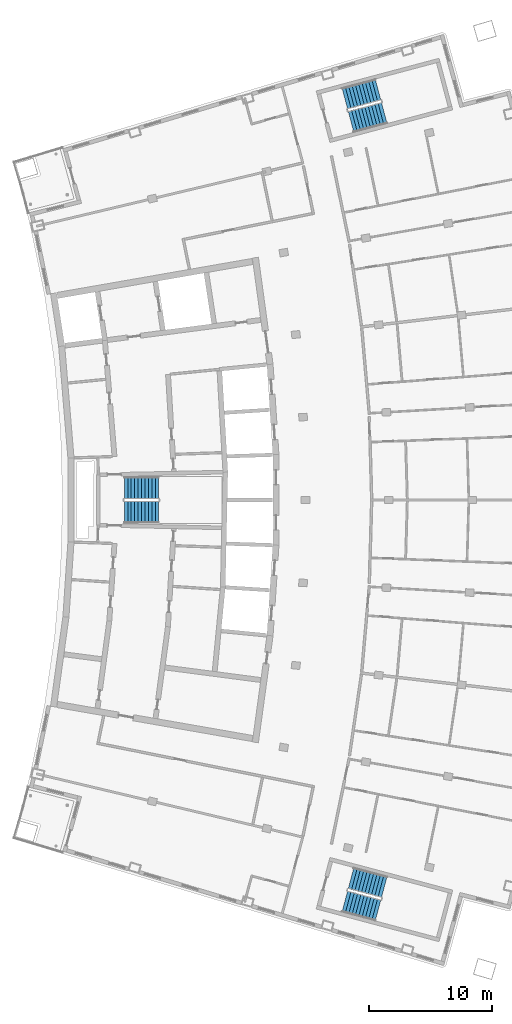
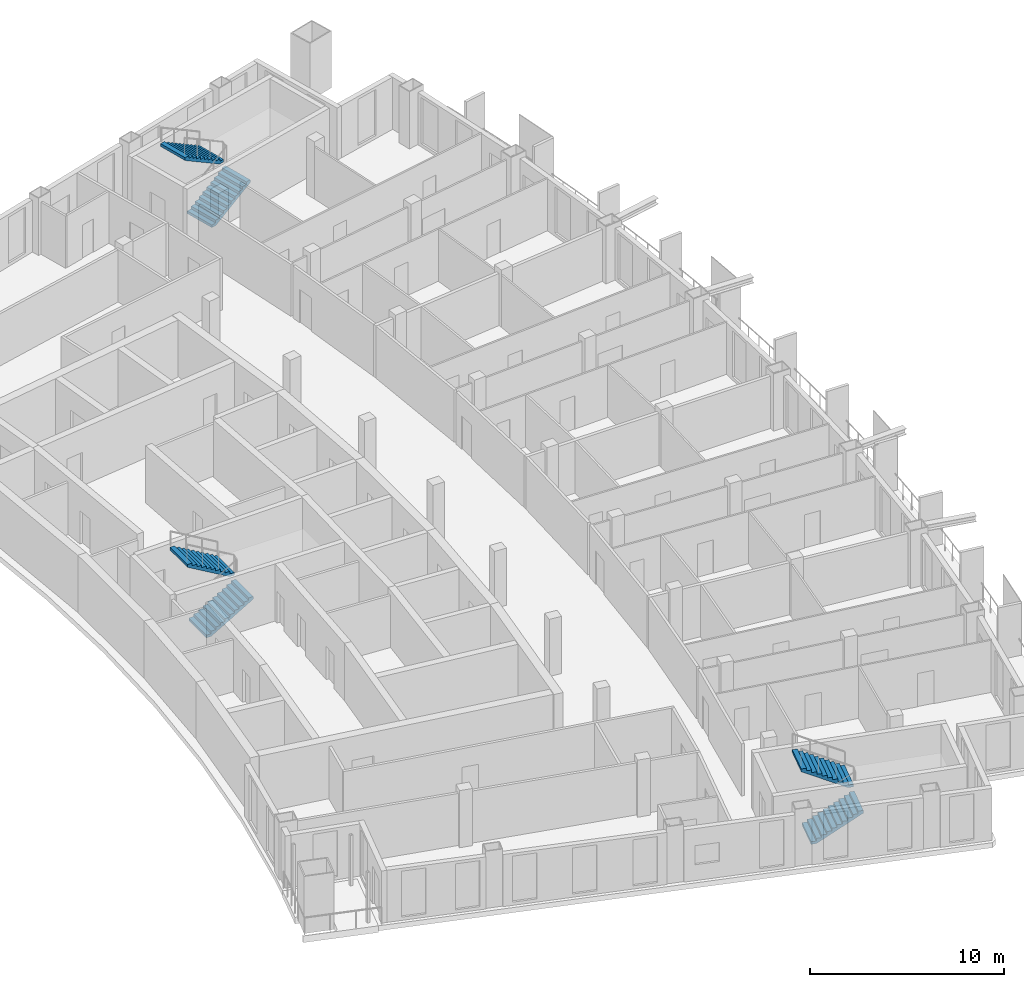
# One storey, part 14 of 17: 6 stair flights, 3 elements without a shape of their own.
"""IFC4 building model written with IfcOpenShell, lengths in metres."""

from ifc_helpers import new_model, si_unit, direction, frame, origin, place, context, subcontext, project, spatial, polyline, outline, extrude, material, layer, layer_set, type_object, element, aggregate, save


model = new_model("IFC4")

# Units and contexts
model_context = context("Model", 3, precision=1e-05, world=origin(), true_north=direction((0.0, 1.0)))
body_context = subcontext(model_context, "Body", "Model", "MODEL_VIEW")
ifc_project = project(units=[si_unit("LENGTHUNIT", "METRE"), si_unit("AREAUNIT", "SQUARE_METRE"), si_unit("VOLUMEUNIT", "CUBIC_METRE"), si_unit("PLANEANGLEUNIT", "RADIAN"), si_unit("MASSUNIT", "GRAM", prefix="KILO")], contexts=[model_context])

# Site, building, storey
site_placement = place(None, origin())
site = spatial("IfcSite", under=ifc_project, at=site_placement, CompositionType="ELEMENT")
building_placement = place(site_placement, origin())
building = spatial("IfcBuilding", under=site, at=building_placement, Name="Alderwake Tower", CompositionType="ELEMENT")
storey_placement = place(building_placement, frame((0.0, 0.0, 270.800048828125)))
storey = spatial("IfcBuildingStorey", under=building, at=storey_placement, Name="L67", CompositionType="ELEMENT", Elevation=270.800048828125)

# Stair, stair flights
ifc_material_1 = material(Name="Concrete C40/50", Category="concrete")
stair_type = type_object("IfcStairType", Name="Core exit stair", PredefinedType="HALF_TURN_STAIR", material=ifc_material_1)
stair_1_placement = place(storey_placement, origin())
stair_1 = element("IfcStair", 1, at=stair_1_placement, inside=storey, type_object=stair_type, Name="L67 Exit Stair B", PredefinedType="HALF_TURN_STAIR")
ifc_material_2 = material(Name="Concrete C40/50", Category="concrete")
ifc_layer = layer(ifc_material_2, 0.14990234375)
ifc_layer_set = layer_set([ifc_layer], Name="Core stair flight")
stair_flight_type = type_object("IfcStairFlightType", Name="Core stair flight", PredefinedType="STRAIGHT", material=ifc_layer_set)
stair_flight_1_placement = place(storey_placement, frame((21.0400390625, 60.02490234375, 0.0), z_axis=(0.0, 0.0, 1.0), x_axis=(1.0, 0.0, 0.0)))
stair_flight_1 = element("IfcStairFlight", 2, at=stair_flight_1_placement, type_object=stair_flight_type, Name="ST-B flight 1", NumberOfRisers=11, NumberOfTreads=10, PredefinedType="STRAIGHT", RiserHeight=0.163636364, TreadLength=0.28, context=body_context, shape_type="SweptSolid", body=[
    extrude(outline(polyline([(0.0, 0.0), (0.0, 0.16357421875), (0.280029296875, 0.16357421875), (0.280029296875, 0.327392578125), (0.56005859375, 0.327392578125), (0.56005859375, 0.490966796875), (0.840087890625, 0.490966796875), (0.840087890625, 0.654541015625), (1.1201171875, 0.654541015625), (1.1201171875, 0.818115234375), (1.39990234375, 0.818115234375), (1.39990234375, 0.98193359375), (1.679931640625, 0.98193359375), (1.679931640625, 1.1455078125), (1.9599609375, 1.1455078125), (1.9599609375, 1.30908203125), (2.239990234375, 1.30908203125), (2.239990234375, 1.47265625), (2.52001953125, 1.47265625), (2.52001953125, 1.636474609375), (2.800048828125, 1.636474609375), (2.800048828125, 1.800048828125), (2.800048828125, 1.462646484375), (0.297119140625, 0.0), (0.0, 0.0)])), frame((0.0, 0.89990234375, 0.0), z_axis=(0.0, -1.0, 0.0), x_axis=(1.0, 0.0, 0.0)), (0.0, 0.0, 1.0), 1.800048828125),
])
stair_flight_2_placement = place(storey_placement, frame((23.840087890625, 61.97509765625, 1.800048828125), z_axis=(0.0, 0.0, 1.0), x_axis=(-1.0, 0.0, 0.0)))
stair_flight_2 = element("IfcStairFlight", 3, at=stair_flight_2_placement, type_object=stair_flight_type, Name="ST-B flight 2", NumberOfRisers=11, NumberOfTreads=10, PredefinedType="STRAIGHT", RiserHeight=0.163636364, TreadLength=0.28, context=body_context, shape_type="SweptSolid", body=[
    extrude(outline(polyline([(0.0, 0.0), (0.0, 0.16357421875), (0.280029296875, 0.16357421875), (0.280029296875, 0.327392578125), (0.56005859375, 0.327392578125), (0.56005859375, 0.490966796875), (0.840087890625, 0.490966796875), (0.840087890625, 0.654541015625), (1.1201171875, 0.654541015625), (1.1201171875, 0.818115234375), (1.39990234375, 0.818115234375), (1.39990234375, 0.98193359375), (1.679931640625, 0.98193359375), (1.679931640625, 1.1455078125), (1.9599609375, 1.1455078125), (1.9599609375, 1.30908203125), (2.239990234375, 1.30908203125), (2.239990234375, 1.47265625), (2.52001953125, 1.47265625), (2.52001953125, 1.636474609375), (2.800048828125, 1.636474609375), (2.800048828125, 1.800048828125), (2.800048828125, 1.462646484375), (0.297119140625, 0.0), (0.0, 0.0)])), frame((0.0, 0.89990234375, 0.0), z_axis=(0.0, -1.0, 0.0), x_axis=(1.0, 0.0, 0.0)), (0.0, 0.0, 1.0), 1.800048828125),
])
aggregate(stair_1, [stair_flight_1, stair_flight_2])

stair_2_placement = place(storey_placement, origin())
stair_2 = element("IfcStair", 4, at=stair_2_placement, inside=storey, type_object=stair_type, Name="L67 Exit Stair A", PredefinedType="HALF_TURN_STAIR")
stair_flight_3_placement = place(storey_placement, frame((39.512939453125, 91.823974609375, 0.0), z_axis=(0.0, 0.0, 1.0), x_axis=(0.966309627437, 0.257382407951, 0.0)))
stair_flight_3 = element("IfcStairFlight", 5, at=stair_flight_3_placement, type_object=stair_flight_type, Name="ST-A flight 1", NumberOfRisers=11, NumberOfTreads=10, PredefinedType="STRAIGHT", RiserHeight=0.163636364, TreadLength=0.28, context=body_context, shape_type="SweptSolid", body=[
    extrude(outline(polyline([(0.0, 0.0), (0.0, 0.16357421875), (0.280029296875, 0.16357421875), (0.280029296875, 0.327392578125), (0.56005859375, 0.327392578125), (0.56005859375, 0.490966796875), (0.840087890625, 0.490966796875), (0.840087890625, 0.654541015625), (1.1201171875, 0.654541015625), (1.1201171875, 0.818115234375), (1.39990234375, 0.818115234375), (1.39990234375, 0.98193359375), (1.679931640625, 0.98193359375), (1.679931640625, 1.1455078125), (1.9599609375, 1.1455078125), (1.9599609375, 1.30908203125), (2.239990234375, 1.30908203125), (2.239990234375, 1.47265625), (2.52001953125, 1.47265625), (2.52001953125, 1.636474609375), (2.800048828125, 1.636474609375), (2.800048828125, 1.800048828125), (2.800048828125, 1.462646484375), (0.297119140625, 0.0), (0.0, 0.0)])), frame((0.0, 0.89990234375, 0.0), z_axis=(0.0, -1.0, 0.0), x_axis=(1.0, 0.0, 0.0)), (0.0, 0.0, 1.0), 1.800048828125),
])
stair_flight_4_placement = place(storey_placement, frame((41.716796875, 94.428955078125, 1.800048828125), z_axis=(0.0, 0.0, 1.0), x_axis=(-0.966309627437, -0.257382407951, 0.0)))
stair_flight_4 = element("IfcStairFlight", 6, at=stair_flight_4_placement, type_object=stair_flight_type, Name="ST-A flight 2", NumberOfRisers=11, NumberOfTreads=10, PredefinedType="STRAIGHT", RiserHeight=0.163636364, TreadLength=0.28, context=body_context, shape_type="SweptSolid", body=[
    extrude(outline(polyline([(0.0, 0.0), (0.0, 0.16357421875), (0.280029296875, 0.16357421875), (0.280029296875, 0.327392578125), (0.56005859375, 0.327392578125), (0.56005859375, 0.490966796875), (0.840087890625, 0.490966796875), (0.840087890625, 0.654541015625), (1.1201171875, 0.654541015625), (1.1201171875, 0.818115234375), (1.39990234375, 0.818115234375), (1.39990234375, 0.98193359375), (1.679931640625, 0.98193359375), (1.679931640625, 1.1455078125), (1.9599609375, 1.1455078125), (1.9599609375, 1.30908203125), (2.239990234375, 1.30908203125), (2.239990234375, 1.47265625), (2.52001953125, 1.47265625), (2.52001953125, 1.636474609375), (2.800048828125, 1.636474609375), (2.800048828125, 1.800048828125), (2.800048828125, 1.462646484375), (0.297119140625, 0.0), (0.0, 0.0)])), frame((0.0, 0.89990234375, 0.0), z_axis=(0.0, -1.0, 0.0), x_axis=(1.0, 0.0, 0.0)), (0.0, 0.0, 1.0), 1.800048828125),
])
aggregate(stair_2, [stair_flight_3, stair_flight_4])

stair_3_placement = place(storey_placement, origin())
stair_3 = element("IfcStair", 7, at=stair_3_placement, inside=storey, type_object=stair_type, Name="L67 Exit Stair C", PredefinedType="HALF_TURN_STAIR")
stair_flight_5_placement = place(storey_placement, frame((39.010986328125, 28.291748046875, 0.0), z_axis=(0.0, 0.0, 1.0), x_axis=(0.966309627437, -0.257382407951, 0.0)))
stair_flight_5 = element("IfcStairFlight", 8, at=stair_flight_5_placement, type_object=stair_flight_type, Name="ST-C flight 1", NumberOfRisers=11, NumberOfTreads=10, PredefinedType="STRAIGHT", RiserHeight=0.163636364, TreadLength=0.28, context=body_context, shape_type="SweptSolid", body=[
    extrude(outline(polyline([(0.0, 0.0), (0.0, 0.16357421875), (0.280029296875, 0.16357421875), (0.280029296875, 0.327392578125), (0.56005859375, 0.327392578125), (0.56005859375, 0.490966796875), (0.840087890625, 0.490966796875), (0.840087890625, 0.654541015625), (1.1201171875, 0.654541015625), (1.1201171875, 0.818115234375), (1.39990234375, 0.818115234375), (1.39990234375, 0.98193359375), (1.679931640625, 0.98193359375), (1.679931640625, 1.1455078125), (1.9599609375, 1.1455078125), (1.9599609375, 1.30908203125), (2.239990234375, 1.30908203125), (2.239990234375, 1.47265625), (2.52001953125, 1.47265625), (2.52001953125, 1.636474609375), (2.800048828125, 1.636474609375), (2.800048828125, 1.800048828125), (2.800048828125, 1.462646484375), (0.297119140625, 0.0), (0.0, 0.0)])), frame((0.0, 0.89990234375, 0.0), z_axis=(0.0, -1.0, 0.0), x_axis=(1.0, 0.0, 0.0)), (0.0, 0.0, 1.0), 1.800048828125),
])
stair_flight_6_placement = place(storey_placement, frame((42.218505859375, 29.455322265625, 1.800048828125), z_axis=(0.0, 0.0, 1.0), x_axis=(-0.966309627437, 0.257382407951, 0.0)))
stair_flight_6 = element("IfcStairFlight", 9, at=stair_flight_6_placement, type_object=stair_flight_type, Name="ST-C flight 2", NumberOfRisers=11, NumberOfTreads=10, PredefinedType="STRAIGHT", RiserHeight=0.163636364, TreadLength=0.28, context=body_context, shape_type="SweptSolid", body=[
    extrude(outline(polyline([(0.0, 0.0), (0.0, 0.16357421875), (0.280029296875, 0.16357421875), (0.280029296875, 0.327392578125), (0.56005859375, 0.327392578125), (0.56005859375, 0.490966796875), (0.840087890625, 0.490966796875), (0.840087890625, 0.654541015625), (1.1201171875, 0.654541015625), (1.1201171875, 0.818115234375), (1.39990234375, 0.818115234375), (1.39990234375, 0.98193359375), (1.679931640625, 0.98193359375), (1.679931640625, 1.1455078125), (1.9599609375, 1.1455078125), (1.9599609375, 1.30908203125), (2.239990234375, 1.30908203125), (2.239990234375, 1.47265625), (2.52001953125, 1.47265625), (2.52001953125, 1.636474609375), (2.800048828125, 1.636474609375), (2.800048828125, 1.800048828125), (2.800048828125, 1.462646484375), (0.297119140625, 0.0), (0.0, 0.0)])), frame((0.0, 0.89990234375, 0.0), z_axis=(0.0, -1.0, 0.0), x_axis=(1.0, 0.0, 0.0)), (0.0, 0.0, 1.0), 1.800048828125),
])
aggregate(stair_3, [stair_flight_5, stair_flight_6])

save(model, "model.ifc")
